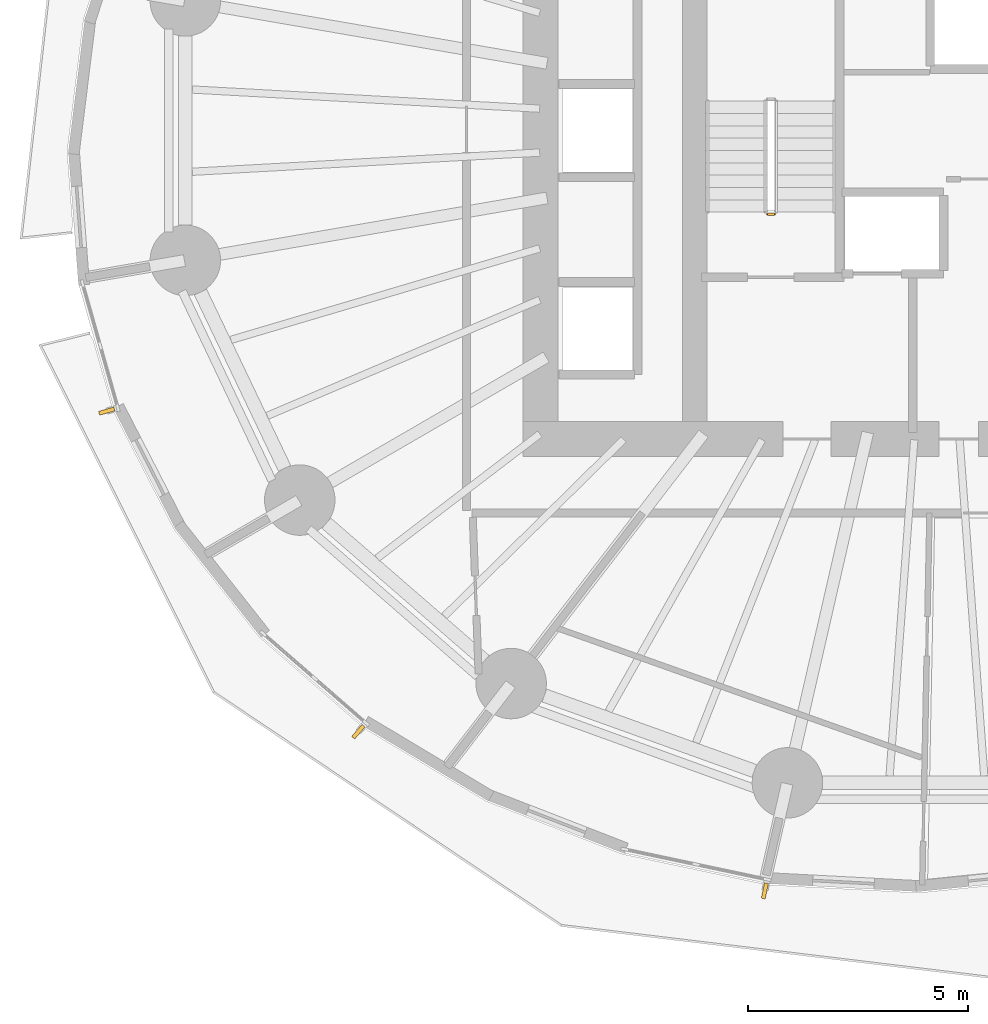
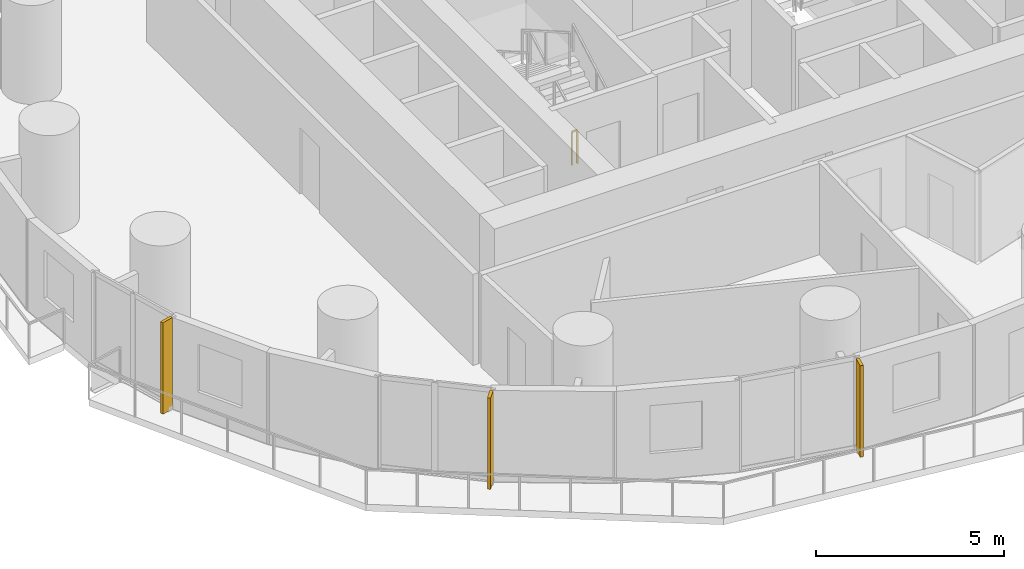
# One storey, part 10 of 13: 3 shading devices, 1 railing.
"""IFC4 building model written with IfcOpenShell, lengths in metres."""

from ifc_helpers import new_model, si_unit, direction, frame, origin, origin_2d, place, context, subcontext, project, spatial, rectangle, extrude, material, layer, layer_set, type_object, element, save


model = new_model("IFC4")

# Units and contexts
model_context = context("Model", 3, precision=1e-05, world=origin(), true_north=direction((0.0, 1.0)))
body_context = subcontext(model_context, "Body", "Model", "MODEL_VIEW")
ifc_project = project(units=[si_unit("LENGTHUNIT", "METRE"), si_unit("AREAUNIT", "SQUARE_METRE"), si_unit("VOLUMEUNIT", "CUBIC_METRE"), si_unit("PLANEANGLEUNIT", "RADIAN"), si_unit("MASSUNIT", "GRAM", prefix="KILO")], contexts=[model_context])

# Site, building, storey
site_placement = place(None, origin())
site = spatial("IfcSite", under=ifc_project, at=site_placement, CompositionType="ELEMENT")
building_placement = place(site_placement, origin())
building = spatial("IfcBuilding", under=site, at=building_placement, Name="Veldorim Arch Residences", CompositionType="ELEMENT")
storey_placement = place(building_placement, frame((0.0, 0.0, 44.0)))
storey = spatial("IfcBuildingStorey", under=building, at=storey_placement, Name="L12", CompositionType="ELEMENT", Elevation=44.0)

# Railing
ifc_material_1 = material(Name="Steel S355", Category="steel")
railing_type = type_object("IfcRailingType", Name="Galvanised Steel Stair Safety Guardrail 1100", PredefinedType="GUARDRAIL", material=ifc_material_1)
railing_placement = place(storey_placement, frame((28.31005859375, 22.10009765625, 0.0)))
element("IfcRailing", 1, at=railing_placement, inside=storey, type_object=railing_type, Name="L12 ST-1 stair guard 4", PredefinedType="GUARDRAIL", context=body_context, shape_type="SweptSolid", body=[
    extrude(rectangle(XDim=0.048095703125, YDim=0.048095703125, at=origin_2d()), frame((0.0, 0.0, 1.076171875), z_axis=(-1.0, 0.0, 0.0), x_axis=(0.0, -1.0, 0.0)), (0.0, 0.0, 1.0), 0.16015625),
    extrude(rectangle(XDim=0.0419921875, YDim=0.0419921875, at=origin_2d()), origin(), (0.0, 0.0, 1.0), 1.052001953125),
    extrude(rectangle(XDim=0.0419921875, YDim=0.0419921875, at=origin_2d()), frame((-0.16015625, 0.0, 0.0)), (0.0, 0.0, 1.0), 1.052001953125),
])

# Shading devices
ifc_material_2 = material(Name="Terracotta Ceramic", Category="masonry")
ifc_layer = layer(ifc_material_2, 0.090087890625, Name="Vertical Extruded Terracotta Baguette Sun-Shading Fin")
ifc_layer_set = layer_set([ifc_layer], Name="Terracotta Ceramic")
shading_device_type = type_object("IfcShadingDeviceType", Name="Vertical Extruded Terracotta Baguette Sun-Shading Fin", PredefinedType="USERDEFINED", material=ifc_layer_set)
for number, where, z_axis, x_axis, name in (
    (2, (13.149658203125, 17.630859375, 0.0), (0.0, 0.0, 1.0), (-0.272784025857, 0.962075296033, 0.0), "L12 vertical terracotta sun-shading fin 19"),
    (3, (18.86376953125, 10.351318359375, 0.0), (0.0, 0.0, 1.0), (-0.754136773416, 0.656717387452, 0.0), "L12 vertical terracotta sun-shading fin 22"),
    (4, (28.093994140625, 6.739501953125, 0.0), (0.0, 0.0, 1.0), (-0.978256328953, 0.207399505455, 0.0), "L12 vertical terracotta sun-shading fin 25"),
):
    element("IfcShadingDevice", number, at=place(storey_placement, frame(where, z_axis=z_axis, x_axis=x_axis)), inside=storey, type_object=shading_device_type, Name=name, ObjectType="FIN", PredefinedType="USERDEFINED", context=body_context, shape_type="SweptSolid", body=[
        extrude(rectangle(XDim=0.090087890625, YDim=0.360107421875, at=origin_2d()), origin(), (0.0, 0.0, 1.0), 2.9599609375),
    ])

save(model, "model.ifc")
